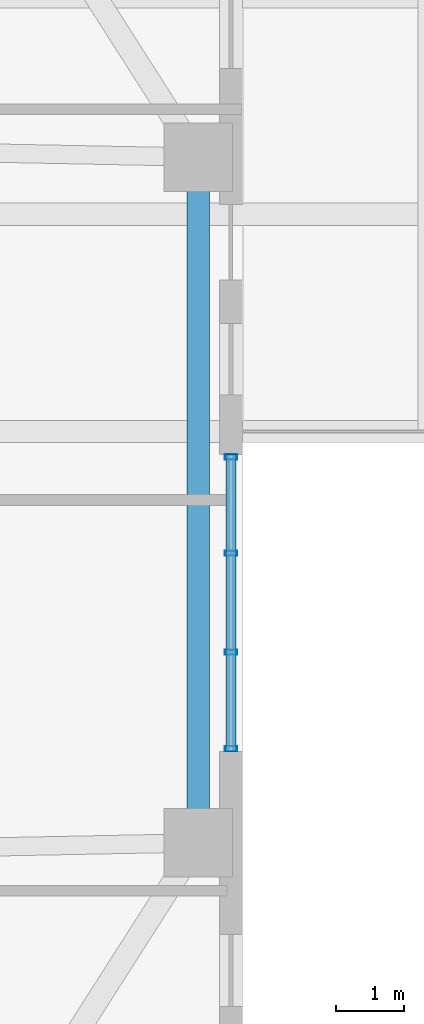
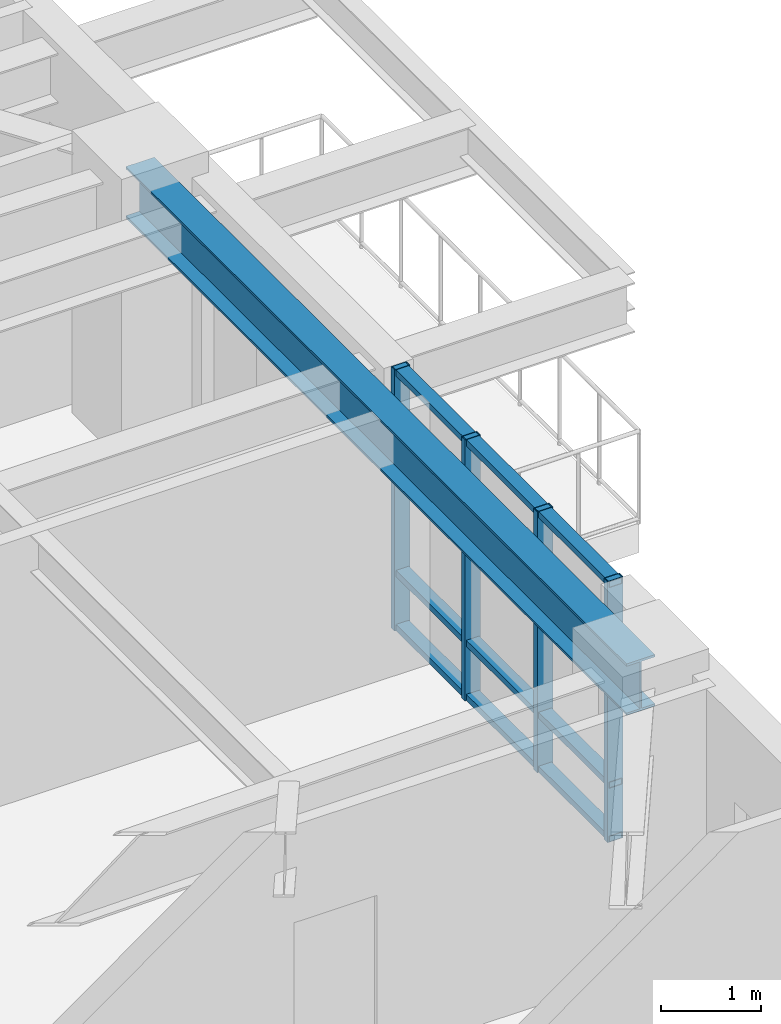
# One storey, part 2 of 9: 7 members, 1 beam, 1 element without a shape of its own.
"""IFC4 building model written with IfcOpenShell, lengths in metres."""

import ifcopenshell
import ifcopenshell.guid

model = None  # the IFC model being written
_history = None  # IfcOwnerHistory: only IFC2X3 demands one
_inside = {}  # id of a spatial element -> (the spatial element, [elements in it])
_under = {}  # id of a project, library or spatial element -> (it, [spatial elements below it])
_declared = {}  # id of a project -> (the project, [libraries it declares])
_typed = {}  # id of a type object -> (the type object, [elements of that type])
_made_of = {}  # id of a material, layer set ... -> (it, [elements and type objects made of it])


def new_model(schema):
    """Start an empty IFC model of exactly this schema.

    Asked for "IFC4X3", IfcOpenShell would pick the latest addendum, in which some entities
    have other attributes; the version numbers below select the first issue.
    IFC2X3 requires an IfcOwnerHistory on every rooted entity: one is made here for all.
    """
    global model, _history
    if schema == "IFC4X3":
        model = ifcopenshell.file(schema_version=(4, 3, 0, 0))
    else:
        model = ifcopenshell.file(schema=schema)
    _inside.clear()
    _under.clear()
    _declared.clear()
    _typed.clear()
    _made_of.clear()
    _history = None
    if model.schema == "IFC2X3":
        org = make("IfcOrganization", Name="unknown")
        user = make(
            "IfcPersonAndOrganization",
            ThePerson=make("IfcPerson", FamilyName="unknown"),
            TheOrganization=org,
        )
        app = make(
            "IfcApplication",
            ApplicationDeveloper=org,
            Version="unknown",
            ApplicationFullName="unknown",
            ApplicationIdentifier="unknown",
        )
        _history = make(
            "IfcOwnerHistory",
            OwningUser=user,
            OwningApplication=app,
            ChangeAction="ADDED",
            CreationDate=0,
        )
    return model


def make(cls, **values):
    """One entity of the class cls with the attributes given. An attribute that is None is left unset."""
    return model.create_entity(
        cls, **{name: value for name, value in values.items() if value is not None}
    )


def rooted(cls, **values):
    """An entity with a GlobalId (a new one), such as an element, a storey or a relation."""
    return make(cls, GlobalId=ifcopenshell.guid.new(), OwnerHistory=_history, **values)


def si_unit(unit_type, name, prefix=None):
    """IfcSIUnit, for example si_unit("LENGTHUNIT", "METRE", prefix="MILLI")."""
    return make("IfcSIUnit", UnitType=unit_type, Prefix=prefix, Name=name)


def assignment(units):
    """IfcUnitAssignment: the units of a project."""
    return None if units is None else make("IfcUnitAssignment", Units=units)


def point(xyz):
    """IfcCartesianPoint."""
    return None if xyz is None else make("IfcCartesianPoint", Coordinates=xyz)


def direction(xyz):
    """IfcDirection."""
    return None if xyz is None else make("IfcDirection", DirectionRatios=xyz)


def frame(location, z_axis=None, x_axis=None):
    """IfcAxis2Placement3D, a coordinate frame: its origin and axes. An axis left out is left unset."""
    return make(
        "IfcAxis2Placement3D",
        Location=point(location),
        Axis=direction(z_axis),
        RefDirection=direction(x_axis),
    )


def frame_2d(location, x_axis=None):
    """IfcAxis2Placement2D, a coordinate frame in the plane: its origin and x axis."""
    return make(
        "IfcAxis2Placement2D", Location=point(location), RefDirection=direction(x_axis)
    )


def origin():
    """The frame at (0, 0, 0) with its axes left unset."""
    return frame((0.0, 0.0, 0.0))


def origin_2d():
    """The frame at (0, 0) in the plane with its x axis left unset."""
    return frame_2d((0.0, 0.0))


def place(relative_to, where):
    """IfcLocalPlacement: puts the frame where relative to a parent placement (None: the world)."""
    return make(
        "IfcLocalPlacement", PlacementRelTo=relative_to, RelativePlacement=where
    )


def context(
    kind, dimensions, precision=None, world=None, true_north=None, identifier=None
):
    """IfcGeometricRepresentationContext, for example the 3D "Model" context."""
    return make(
        "IfcGeometricRepresentationContext",
        ContextIdentifier=identifier,
        ContextType=kind,
        CoordinateSpaceDimension=dimensions,
        Precision=precision,
        WorldCoordinateSystem=world,
        TrueNorth=true_north,
    )


def subcontext(parent, identifier, kind, view, scale=None):
    """IfcGeometricRepresentationSubContext, for example "Body" below "Model"."""
    return make(
        "IfcGeometricRepresentationSubContext",
        ContextIdentifier=identifier,
        ContextType=kind,
        ParentContext=parent,
        TargetScale=scale,
        TargetView=view,
    )


def project(units=None, contexts=None):
    """IfcProject with its units and contexts."""
    return rooted(
        "IfcProject",
        Name="project",
        RepresentationContexts=contexts,
        UnitsInContext=assignment(units),
    )


def spatial(cls, under=None, at=None, **own):
    """A site, building, storey or space (cls), placed at a placement, below another one or the project."""
    s = rooted(cls, ObjectPlacement=at, **own)
    if under is not None:
        _under.setdefault(under.id(), (under, []))[1].append(s)
    return s


def profile(cls, at=None, kind="AREA", **sizes):
    """A parametric profile (cls). Its sizes go by their IFC names, for example OverallWidth=200.0."""
    return make(cls, ProfileType=kind, Position=at, **sizes)


def hollow_rectangle(**sizes):
    """IfcRectangleHollowProfileDef."""
    return profile("IfcRectangleHollowProfileDef", **sizes)


def i_section(**sizes):
    """IfcIShapeProfileDef."""
    return profile("IfcIShapeProfileDef", **sizes)


def extrude(swept, where, along, depth):
    """IfcExtrudedAreaSolid: the profile swept, set in the frame where, extruded along a direction by depth."""
    return make(
        "IfcExtrudedAreaSolid",
        SweptArea=swept,
        Position=where,
        ExtrudedDirection=direction(along),
        Depth=depth,
    )


def shape(context_of_items, identifier, shape_type, items):
    """IfcShapeRepresentation: the items that make up one representation, for example the "Body"."""
    return make(
        "IfcShapeRepresentation",
        ContextOfItems=context_of_items,
        RepresentationIdentifier=identifier,
        RepresentationType=shape_type,
        Items=items,
    )


def material(Name=None, Category=None):
    """IfcMaterial."""
    return make("IfcMaterial", Name=Name, Category=Category)


def layer(
    of_material, thickness, ventilated=None, Name=None, Category=None, Priority=None
):
    """IfcMaterialLayer: one layer of a wall or slab, of a material (None: an air gap)."""
    return make(
        "IfcMaterialLayer",
        Material=of_material,
        LayerThickness=thickness,
        IsVentilated=ventilated,
        Name=Name,
        Category=Category,
        Priority=Priority,
    )


def layer_set(layers, Name=None):
    """IfcMaterialLayerSet."""
    return make("IfcMaterialLayerSet", MaterialLayers=layers, LayerSetName=Name)


def material_profile(
    of_material, cross_section, Name=None, Category=None, Priority=None
):
    """IfcMaterialProfile: a cross section and its material."""
    return make(
        "IfcMaterialProfile",
        Name=Name,
        Material=of_material,
        Profile=cross_section,
        Priority=Priority,
        Category=Category,
    )


def profile_set(profiles, Name=None, composite=None):
    """IfcMaterialProfileSet."""
    return make(
        "IfcMaterialProfileSet",
        Name=Name,
        MaterialProfiles=profiles,
        CompositeProfile=composite,
    )


def made_of(thing, what):
    """Note that an element or type object is made of a material, layer set ...; save() writes the relation."""
    if what is not None:
        _made_of.setdefault(what.id(), (what, []))[1].append(thing)
    return thing


def type_object(cls, material=None, **own):
    """A type object (cls), such as IfcWallType, which elements share."""
    return made_of(rooted(cls, **own), material)


def element(
    cls,
    number,
    at=None,
    inside=None,
    cuts=None,
    type_object=None,
    material=None,
    context=None,
    identifier="Body",
    shape_type=None,
    held_by="IfcProductDefinitionShape",
    body=None,
    shapes=None,
    **own,
):
    """One element of the class cls, such as IfcWall. Its Tag is "e" and its number.

    at: its placement. inside: the storey or other place that contains it. cuts: it is an
    opening in that element (IfcRelVoidsElement). A single representation is given by context,
    identifier, shape_type and body (its items); several are given by shapes. held_by: the class
    of the entity that holds the representations. save() writes the other relations.
    """
    e = rooted(cls, Tag="e%d" % number, ObjectPlacement=at, **own)
    if body is not None:
        shapes = [shape(context, identifier, shape_type, body)]
    if shapes is not None:
        e.Representation = make(held_by, Representations=shapes)
    if inside is not None:
        _inside.setdefault(inside.id(), (inside, []))[1].append(e)
    if cuts is not None:
        rooted(
            "IfcRelVoidsElement", RelatingBuildingElement=cuts, RelatedOpeningElement=e
        )
    if type_object is not None:
        _typed.setdefault(type_object.id(), (type_object, []))[1].append(e)
    return made_of(e, material)


def aggregate(whole, parts):
    """IfcRelAggregates: a whole, such as a stair, and the parts it consists of."""
    return rooted("IfcRelAggregates", RelatingObject=whole, RelatedObjects=parts)


def save(model, path):
    """Write the relations noted so far, then the file.

    IfcRelAggregates (storeys below a building ...), IfcRelContainedInSpatialStructure (elements
    in a storey), IfcRelDefinesByType, IfcRelAssociatesMaterial and IfcRelDeclares: one each for
    every whole, place, type object, material and project.
    """
    for whole, parts in _under.values():
        aggregate(whole, parts)
    for where, things in _inside.values():
        rooted(
            "IfcRelContainedInSpatialStructure",
            RelatedElements=things,
            RelatingStructure=where,
        )
    for kind, things in _typed.values():
        rooted("IfcRelDefinesByType", RelatedObjects=things, RelatingType=kind)
    for what, things in _made_of.values():
        rooted("IfcRelAssociatesMaterial", RelatedObjects=things, RelatingMaterial=what)
    for by, libraries in _declared.values():
        rooted("IfcRelDeclares", RelatingContext=by, RelatedDefinitions=libraries)
    model.write(path)


model = new_model("IFC4")

# Units and contexts
model_context = context("Model", 3, precision=1e-05, world=origin(), true_north=direction((0.0, 1.0)))
body_context = subcontext(model_context, "Body", "Model", "MODEL_VIEW")
ifc_project = project(units=[si_unit("LENGTHUNIT", "METRE"), si_unit("AREAUNIT", "SQUARE_METRE"), si_unit("VOLUMEUNIT", "CUBIC_METRE"), si_unit("PLANEANGLEUNIT", "RADIAN"), si_unit("MASSUNIT", "GRAM", prefix="KILO"), si_unit("THERMODYNAMICTEMPERATUREUNIT", "KELVIN"), si_unit("POWERUNIT", "WATT")], contexts=[model_context])

# Site, building, storey
site_placement = place(None, origin())
site = spatial("IfcSite", under=ifc_project, at=site_placement, CompositionType="ELEMENT")
building_placement = place(site_placement, origin())
building = spatial("IfcBuilding", under=site, at=building_placement, Name="Skarre Station Tower", CompositionType="ELEMENT")
storey_placement = place(building_placement, frame((0.0, 0.0, 101.550048828125)))
storey = spatial("IfcBuildingStorey", under=building, at=storey_placement, Name="L26", CompositionType="ELEMENT", Elevation=101.550048828125)

# Curtain wall, members
ifc_material_1 = material(Name="Thermally Broken Bronze-Anodized Aluminium & Triple Low-E Glass", Category="aluminium")
ifc_layer = layer(ifc_material_1, 0.18994140625, Name="Thermally Broken Bronze-Anodized Aluminium & Triple Low-E Glass")
ifc_layer_set = layer_set([ifc_layer], Name="Thermally Broken Bronze-Anodized Aluminium & Triple Low-E Glass")
curtain_wall_type = type_object("IfcCurtainWallType", Name="Sky-Garden Setback Conservatory Curtain Wall", PredefinedType="NOTDEFINED", material=ifc_layer_set)
curtain_wall_placement = place(storey_placement, origin())
curtain_wall = element("IfcCurtainWall", 1, at=curtain_wall_placement, inside=storey, type_object=curtain_wall_type, Name="L26 Facet 5 Conservatory Curtain Wall", PredefinedType="NOTDEFINED")
ifc_material_2 = material(Name="Anodized Aluminium 6063-T6", Category="aluminium")
ifc_material_profile_1 = material_profile(ifc_material_2, hollow_rectangle(XDim=0.074951171875, YDim=0.14990234375, WallThickness=0.00390625, at=origin_2d()), Name="Anodized Aluminium 6063-T6")
ifc_profile_set_1 = profile_set([ifc_material_profile_1], Name="Anodized Aluminium 6063-T6")
member_type_1 = type_object("IfcMemberType", Name="Curtain-Wall Secondary Transom 150x75", PredefinedType="USERDEFINED", material=ifc_profile_set_1)
member_1_placement = place(storey_placement, frame((57.048095703125, 24.66796875, 0.0400390625), z_axis=(0.0, -1.0, 0.0), x_axis=(0.0, 0.0, 1.0)))
member_1 = element("IfcMember", 2, at=member_1_placement, type_object=member_type_1, Name="L26 Facet 5 Conservatory Curtain Wall Transom 1", ObjectType="TRANSOM", PredefinedType="USERDEFINED", context=body_context, shape_type="SweptSolid", body=[
    extrude(hollow_rectangle(XDim=0.074951171875, YDim=0.14990234375, WallThickness=0.00390625, at=origin_2d()), origin(), (0.0, 0.0, 1.0), 4.343017578125),
])
member_2_placement = place(storey_placement, frame((57.048095703125, 24.66796875, 0.699951171875), z_axis=(0.0, -1.0, 0.0), x_axis=(0.0, 0.0, 1.0)))
member_2 = element("IfcMember", 3, at=member_2_placement, type_object=member_type_1, Name="L26 Facet 5 Conservatory Curtain Wall Transom 2", ObjectType="TRANSOM", PredefinedType="USERDEFINED", context=body_context, shape_type="SweptSolid", body=[
    extrude(hollow_rectangle(XDim=0.074951171875, YDim=0.14990234375, WallThickness=0.00390625, at=origin_2d()), origin(), (0.0, 0.0, 1.0), 4.343017578125),
])
member_3_placement = place(storey_placement, frame((57.048095703125, 24.66796875, 3.14990234375), z_axis=(0.0, -1.0, 0.0), x_axis=(0.0, 0.0, 1.0)))
member_3 = element("IfcMember", 4, at=member_3_placement, type_object=member_type_1, Name="L26 Facet 5 Conservatory Curtain Wall Transom 3", ObjectType="TRANSOM", PredefinedType="USERDEFINED", context=body_context, shape_type="SweptSolid", body=[
    extrude(hollow_rectangle(XDim=0.074951171875, YDim=0.14990234375, WallThickness=0.00390625, at=origin_2d()), origin(), (0.0, 0.0, 1.0), 4.343017578125),
])
ifc_material_profile_2 = material_profile(ifc_material_2, hollow_rectangle(XDim=0.074951171875, YDim=0.179931640625, WallThickness=0.00390625, at=origin_2d()), Name="Anodized Aluminium 6063-T6")
ifc_profile_set_2 = profile_set([ifc_material_profile_2], Name="Anodized Aluminium 6063-T6")
member_type_2 = type_object("IfcMemberType", Name="Curtain-Wall Unitised Tower Mullion 180x75", PredefinedType="MULLION", material=ifc_profile_set_2)
member_4_placement = place(storey_placement, frame((57.048095703125, 24.6279296875, 0.0), z_axis=(0.0, 0.0, 1.0), x_axis=(0.0, -1.0, 0.0)))
member_4 = element("IfcMember", 5, at=member_4_placement, type_object=member_type_2, Name="L26 Facet 5 Conservatory Curtain Wall Mullion 1", PredefinedType="MULLION", context=body_context, shape_type="SweptSolid", body=[
    extrude(hollow_rectangle(XDim=0.074951171875, YDim=0.179931640625, WallThickness=0.00390625, at=origin_2d()), origin(), (0.0, 0.0, 1.0), 3.18994140625),
])
member_5_placement = place(storey_placement, frame((57.048095703125, 23.219970703125, 0.0), z_axis=(0.0, 0.0, 1.0), x_axis=(0.0, -1.0, 0.0)))
member_5 = element("IfcMember", 6, at=member_5_placement, type_object=member_type_2, Name="L26 Facet 5 Conservatory Curtain Wall Mullion 2", PredefinedType="MULLION", context=body_context, shape_type="SweptSolid", body=[
    extrude(hollow_rectangle(XDim=0.074951171875, YDim=0.179931640625, WallThickness=0.00390625, at=origin_2d()), origin(), (0.0, 0.0, 1.0), 3.18994140625),
])
member_6_placement = place(storey_placement, frame((57.048095703125, 21.77294921875, 0.0), z_axis=(0.0, 0.0, 1.0), x_axis=(0.0, -1.0, 0.0)))
member_6 = element("IfcMember", 7, at=member_6_placement, type_object=member_type_2, Name="L26 Facet 5 Conservatory Curtain Wall Mullion 3", PredefinedType="MULLION", context=body_context, shape_type="SweptSolid", body=[
    extrude(hollow_rectangle(XDim=0.074951171875, YDim=0.179931640625, WallThickness=0.00390625, at=origin_2d()), origin(), (0.0, 0.0, 1.0), 3.18994140625),
])
member_7_placement = place(storey_placement, frame((57.048095703125, 20.364990234375, 0.0), z_axis=(0.0, 0.0, 1.0), x_axis=(0.0, -1.0, 0.0)))
member_7 = element("IfcMember", 8, at=member_7_placement, type_object=member_type_2, Name="L26 Facet 5 Conservatory Curtain Wall Mullion 4", PredefinedType="MULLION", context=body_context, shape_type="SweptSolid", body=[
    extrude(hollow_rectangle(XDim=0.074951171875, YDim=0.179931640625, WallThickness=0.00390625, at=origin_2d()), origin(), (0.0, 0.0, 1.0), 3.18994140625),
])
aggregate(curtain_wall, [member_4, member_5, member_6, member_7, member_1, member_2, member_3])

# Beam
ifc_material_3 = material(Name="Steel ASTM A992 Grade 50", Category="steel")
ifc_material_profile_3 = material_profile(ifc_material_3, i_section(OverallWidth=0.327880859375, OverallDepth=0.6279296875, WebThickness=0.01708984375, FlangeThickness=0.028076171875, at=origin_2d()), Name="Steel ASTM A992 Grade 50")
ifc_profile_set_3 = profile_set([ifc_material_profile_3], Name="Steel ASTM A992 Grade 50")
beam_type = type_object("IfcBeamType", Name="Steel Spandrel W24X146", PredefinedType="SPANDREL", material=ifc_profile_set_3)
beam_placement = place(storey_placement, frame((56.568115234375, 18.989013671875, 2.8759765625), z_axis=(0.0, 1.0, 0.0), x_axis=(-1.0, 0.0, 0.0)))
element("IfcBeam", 9, at=beam_placement, inside=storey, type_object=beam_type, Name="L26 Facet Spandrel Beam 11", PredefinedType="SPANDREL", context=body_context, shape_type="SweptSolid", body=[
    extrude(i_section(OverallWidth=0.327880859375, OverallDepth=0.6279296875, WebThickness=0.01708984375, FlangeThickness=0.028076171875, at=origin_2d()), origin(), (0.0, 0.0, 1.0), 10.02197265625),
])

save(model, "model.ifc")
